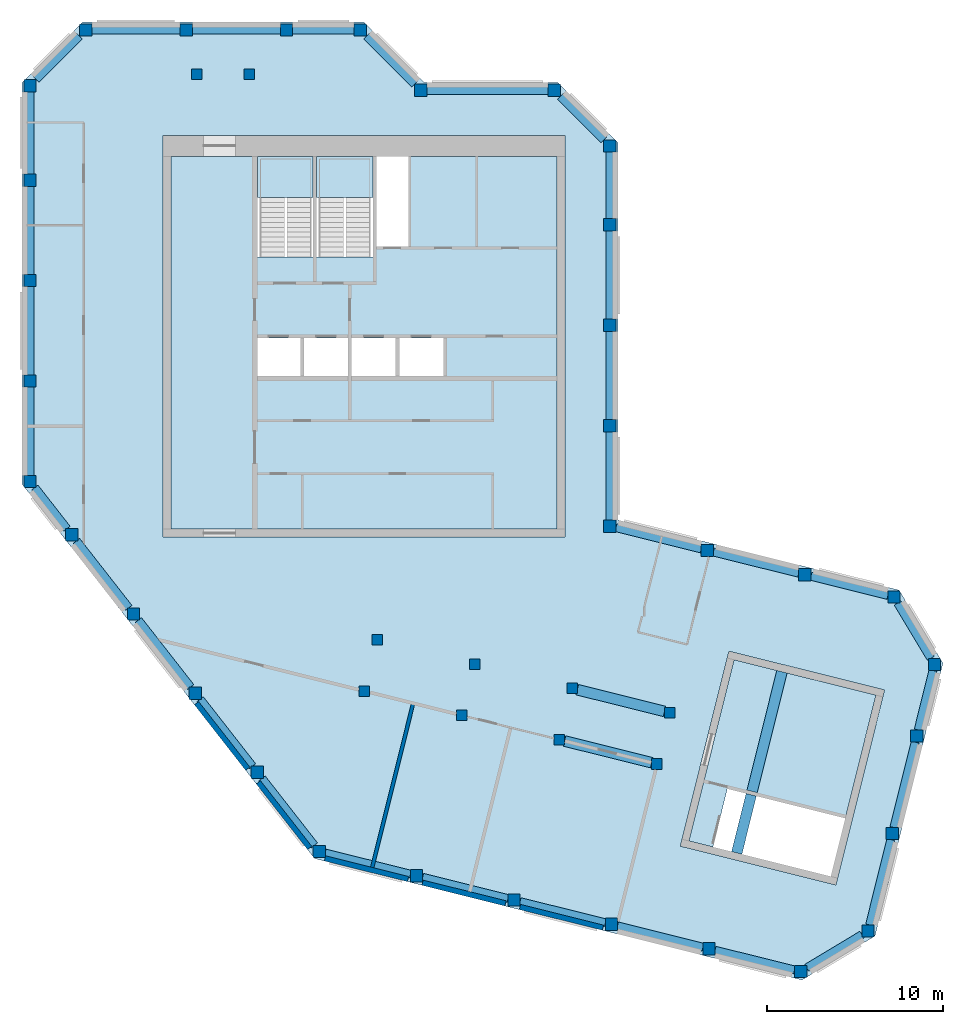
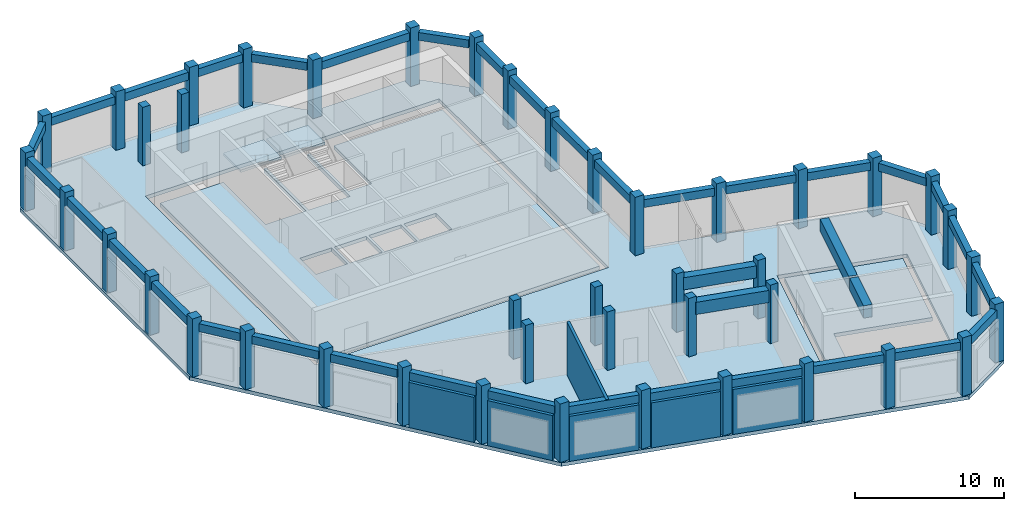
# One storey, part 1 of 5: 43 columns, 37 beams, 6 walls, 5 slabs, 2 elements without a shape of their own.
"""IFC4 building model written with IfcOpenShell, lengths in metres."""

from ifc_helpers import new_model, si_unit, direction, frame, frame_2d, origin, origin_2d, place, context, subcontext, project, spatial, polyline, rectangle, outline, extrude, material, layer, layer_set, material_profile, profile_set, type_object, element, aggregate, save


model = new_model("IFC4")

# Units and contexts
model_context = context("Model", 3, precision=1e-05, world=origin(), true_north=direction((0.0, 1.0)))
body_context = subcontext(model_context, "Body", "Model", "MODEL_VIEW")
ifc_project = project(units=[si_unit("LENGTHUNIT", "METRE"), si_unit("AREAUNIT", "SQUARE_METRE"), si_unit("VOLUMEUNIT", "CUBIC_METRE"), si_unit("PLANEANGLEUNIT", "RADIAN"), si_unit("MASSUNIT", "GRAM", prefix="KILO")], contexts=[model_context])

# Site, building, storey
site_placement = place(None, origin())
site = spatial("IfcSite", under=ifc_project, at=site_placement, CompositionType="ELEMENT")
building_placement = place(site_placement, origin())
building = spatial("IfcBuilding", under=site, at=building_placement, Name="Meshkara Civic Tower", CompositionType="ELEMENT")
storey_placement = place(building_placement, frame((0.0, 0.0, 414.60009765625)))
storey = spatial("IfcBuildingStorey", under=building, at=storey_placement, Name="L95 Crown", CompositionType="ELEMENT", Elevation=414.60009765625)

# Columns
ifc_material_1 = material(Name="Concrete C50", Category="concrete")
ifc_material_profile_1 = material_profile(ifc_material_1, rectangle(XDim=0.60009765625, YDim=0.60009765625, at=origin_2d()))
ifc_profile_set_1 = profile_set([ifc_material_profile_1], Name="Concrete C50")
column_type_1 = type_object("IfcColumnType", Name="Interior column RC 600x600 C50", PredefinedType="COLUMN", material=ifc_profile_set_1)
for number, where, z_axis, x_axis, name in (
    (1, (9.89990234375, 40.35009765625, 0.0), (0.0, 0.0, 1.0), (1.0, 0.0, 0.0), "Column SA1-04 L95 Crown"),
    (2, (12.89990234375, 40.35009765625, 0.0), (0.0, 0.0, 1.0), (1.0, 0.0, 0.0), "Column SA2-04 L95 Crown"),
    (3, (19.424072265625, 5.360107421875, 0.0), (0.0, 0.0, 1.0), (1.0, 0.0, 0.0), "Column SB1-00 L95 Crown"),
    (4, (24.9541015625, 3.98095703125, 0.0), (0.0, 0.0, 1.0), (1.0, 0.0, 0.0), "Column SB1-01 L95 Crown"),
    (5, (30.485107421875, 2.60205078125, 0.0), (0.0, 0.0, 1.0), (1.0, 0.0, 0.0), "Column SB1-02 L95 Crown"),
    (6, (36.01611328125, 1.222900390625, 0.0), (0.0, 0.0, 1.0), (1.0, 0.0, 0.0), "Column SB1-03 L95 Crown"),
    (7, (20.14892578125, 8.27099609375, 0.0), (0.0, 0.0, 1.0), (1.0, 0.0, 0.0), "Column SB2-00 L95 Crown"),
    (8, (25.679931640625, 6.89208984375, 0.0), (0.0, 0.0, 1.0), (1.0, 0.0, 0.0), "Column SB2-01 L95 Crown"),
    (9, (31.2109375, 5.512939453125, 0.0), (0.0, 0.0, 1.0), (1.0, 0.0, 0.0), "Column SB2-02 L95 Crown"),
    (10, (36.741943359375, 4.134033203125, 0.0), (0.0, 0.0, 1.0), (1.0, 0.0, 0.0), "Column SB2-03 L95 Crown"),
):
    element("IfcColumn", number, at=place(storey_placement, frame(where, z_axis=z_axis, x_axis=x_axis)), inside=storey, type_object=column_type_1, Name=name, PredefinedType="COLUMN", context=body_context, shape_type="SweptSolid", body=[
        extrude(rectangle(XDim=0.60009765625, YDim=0.60009765625, at=origin_2d()), origin(), (0.0, 0.0, 1.0), 4.7998046875),
    ])
ifc_material_2 = material(Name="Concrete C50", Category="concrete")
ifc_material_profile_2 = material_profile(ifc_material_2, rectangle(XDim=0.699951171875, YDim=0.699951171875, at=origin_2d()))
ifc_profile_set_2 = profile_set([ifc_material_profile_2], Name="Concrete C50")
column_type_2 = type_object("IfcColumnType", Name="Perimeter column RC 700x700 C50", PredefinedType="COLUMN", material=ifc_profile_set_2)
for number, where, z_axis, x_axis, name in (
    (11, (33.35009765625, 14.718994140625, 0.0), (0.0, 0.0, 1.0), (1.0, 0.0, 0.0), "Column HE00 L95 Crown"),
    (12, (33.35009765625, 20.4189453125, 0.0), (0.0, 0.0, 1.0), (1.0, 0.0, 0.0), "Column HE01 L95 Crown"),
    (13, (33.35009765625, 26.118896484375, 0.0), (0.0, 0.0, 1.0), (1.0, 0.0, 0.0), "Column HE02 L95 Crown"),
    (14, (33.35009765625, 31.819091796875, 0.0), (0.0, 0.0, 1.0), (1.0, 0.0, 0.0), "Column HE03 L95 Crown"),
    (15, (33.35009765625, 36.2939453125, 0.0), (0.0, 0.0, 1.0), (1.0, 0.0, 0.0), "Column HEE L95 Crown"),
    (16, (30.194091796875, 39.449951171875, 0.0), (0.0, 0.0, 1.0), (1.0, 0.0, 0.0), "Column HCeE L95 Crown"),
    (17, (22.614013671875, 39.449951171875, 0.0), (0.0, 0.0, 1.0), (1.0, 0.0, 0.0), "Column HN00-P7 L95 Crown"),
    (18, (19.194091796875, 42.8701171875, 0.0), (0.0, 0.0, 1.0), (1.0, 0.0, 0.0), "Column ATiEP7 L95 Crown"),
    (19, (3.60595703125, 42.8701171875, 0.0), (0.0, 0.0, 1.0), (1.0, 0.0, 0.0), "Column AT00-P7 L95 Crown"),
    (20, (9.305908203125, 42.8701171875, 0.0), (0.0, 0.0, 1.0), (1.0, 0.0, 0.0), "Column AT01-P7 L95 Crown"),
    (21, (15.006103515625, 42.8701171875, 0.0), (0.0, 0.0, 1.0), (1.0, 0.0, 0.0), "Column AT02-P7 L95 Crown"),
    (22, (0.449951171875, 39.714111328125, 0.0), (0.0, 0.0, 1.0), (1.0, 0.0, 0.0), "Column ATo00-P7 L95 Crown"),
    (23, (0.449951171875, 17.2548828125, 0.0), (0.0, 0.0, 1.0), (1.0, 0.0, 0.0), "Column AW00 L95 Crown"),
    (24, (0.449951171875, 22.955078125, 0.0), (0.0, 0.0, 1.0), (1.0, 0.0, 0.0), "Column AW01 L95 Crown"),
    (25, (0.449951171875, 28.655029296875, 0.0), (0.0, 0.0, 1.0), (1.0, 0.0, 0.0), "Column AW02 L95 Crown"),
    (26, (0.449951171875, 34.35498046875, 0.0), (0.0, 0.0, 1.0), (1.0, 0.0, 0.0), "Column AW03 L95 Crown"),
    (27, (16.85107421875, -3.738037109375, 0.0), (0.0, 0.0, 1.0), (1.0, 0.0, 0.0), "Column BOW00 L95 Crown"),
    (28, (13.342041015625, 0.75390625, 0.0), (0.0, 0.0, 1.0), (1.0, 0.0, 0.0), "Column BOW01 L95 Crown"),
    (29, (9.8330078125, 5.2451171875, 0.0), (0.0, 0.0, 1.0), (1.0, 0.0, 0.0), "Column BOW02 L95 Crown"),
    (30, (6.322998046875, 9.737060546875, 0.0), (0.0, 0.0, 1.0), (1.0, 0.0, 0.0), "Column BOW03 L95 Crown"),
    (31, (2.81396484375, 14.22900390625, 0.0), (0.0, 0.0, 1.0), (1.0, 0.0, 0.0), "Column BOW04 L95 Crown"),
    (32, (22.382080078125, -5.116943359375, 0.0), (0.0, 0.0, 1.0), (1.0, 0.0, 0.0), "Column BS01 L95 Crown"),
    (33, (27.912109375, -6.49609375, 0.0), (0.0, 0.0, 1.0), (1.0, 0.0, 0.0), "Column BS02 L95 Crown"),
    (34, (33.443115234375, -7.875, 0.0), (0.0, 0.0, 1.0), (1.0, 0.0, 0.0), "Column BS03 L95 Crown"),
    (35, (38.97412109375, -9.25390625, 0.0), (0.0, 0.0, 1.0), (1.0, 0.0, 0.0), "Column BS04 L95 Crown"),
    (36, (44.173095703125, -10.550048828125, 0.0), (0.0, 0.0, 1.0), (1.0, 0.0, 0.0), "Column BSEP7 L95 Crown"),
    (37, (47.9990234375, -8.2509765625, 0.0), (0.0, 0.0, 1.0), (1.0, 0.0, 0.0), "Column BToEP7 L95 Crown"),
    (38, (49.3779296875, -2.719970703125, 0.0), (0.0, 0.0, 1.0), (1.0, 0.0, 0.0), "Column BT01-P7 L95 Crown"),
    (39, (50.757080078125, 2.81005859375, 0.0), (0.0, 0.0, 1.0), (1.0, 0.0, 0.0), "Column BT02-P7 L95 Crown"),
    (40, (51.77001953125, 6.873046875, 0.0), (0.0, 0.0, 1.0), (1.0, 0.0, 0.0), "Column BTEP7 L95 Crown"),
    (41, (49.470947265625, 10.698974609375, 0.0), (0.0, 0.0, 1.0), (1.0, 0.0, 0.0), "Column BTi00-P7 L95 Crown"),
    (42, (38.881103515625, 13.340087890625, 0.0), (0.0, 0.0, 1.0), (1.0, 0.0, 0.0), "Column BN01 L95 Crown"),
    (43, (44.410888671875, 11.9609375, 0.0), (0.0, 0.0, 1.0), (1.0, 0.0, 0.0), "Column BN02 L95 Crown"),
):
    element("IfcColumn", number, at=place(storey_placement, frame(where, z_axis=z_axis, x_axis=x_axis)), inside=storey, type_object=column_type_2, Name=name, PredefinedType="COLUMN", context=body_context, shape_type="SweptSolid", body=[
        extrude(rectangle(XDim=0.699951171875, YDim=0.699951171875, at=origin_2d()), origin(), (0.0, 0.0, 1.0), 4.7998046875),
    ])

# Beams
ifc_material_3 = material(Name="Concrete C50", Category="concrete")
ifc_material_profile_3 = material_profile(ifc_material_3, rectangle(XDim=0.60009765625, YDim=1.0, at=origin_2d()))
ifc_profile_set_3 = profile_set([ifc_material_profile_3], Name="Concrete C50")
beam_type_1 = type_object("IfcBeamType", Name="Core transfer beam RC 600x1000 C50", PredefinedType="BEAM", material=ifc_profile_set_3)
beam_1_placement = place(storey_placement, frame((30.77587890625, 2.529052734375, 3.849853515625), z_axis=(0.970333660693, -0.241769698114, 0.0), x_axis=(0.241769698114, 0.970333660693, 0.0)))
element("IfcBeam", 44, at=beam_1_placement, inside=storey, type_object=beam_type_1, Name="Transfer beam B L96 Crown core-side wall", PredefinedType="BEAM", context=body_context, shape_type="SweptSolid", body=[
    extrude(rectangle(XDim=0.60009765625, YDim=1.0, at=origin_2d()), origin(), (0.0, 0.0, 1.0), 5.1005859375),
])
beam_2_placement = place(storey_placement, frame((31.501953125, 5.43994140625, 3.849853515625), z_axis=(0.970342091883, -0.241735857334, 0.0), x_axis=(0.241735857334, 0.970342091883, 0.0)))
element("IfcBeam", 45, at=beam_2_placement, inside=storey, type_object=beam_type_1, Name="Transfer beam B L96 Crown core-side wall", PredefinedType="BEAM", context=body_context, shape_type="SweptSolid", body=[
    extrude(rectangle(XDim=0.60009765625, YDim=1.0, at=origin_2d()), origin(), (0.0, 0.0, 1.0), 5.100341796875),
])
beam_3_placement = place(storey_placement, frame((40.550048828125, -3.822998046875, 3.849853515625), z_axis=(0.24177523778, 0.970332280405, 0.0), x_axis=(-0.970332280405, 0.24177523778, 0.0)))
element("IfcBeam", 46, at=beam_3_placement, inside=storey, type_object=beam_type_1, Name="Transfer beam B L96 Crown tip-side wall", PredefinedType="BEAM", context=body_context, shape_type="SweptSolid", body=[
    extrude(rectangle(XDim=0.60009765625, YDim=1.0, at=origin_2d()), origin(), (0.0, 0.0, 1.0), 3.39990234375),
])
beam_4_placement = place(storey_placement, frame((41.419921875, -0.330078125, 3.849853515625), z_axis=(0.242010385333, 0.970273659022, 0.0), x_axis=(-0.970273659022, 0.242010385333, 0.0)))
element("IfcBeam", 47, at=beam_4_placement, inside=storey, type_object=beam_type_1, Name="Transfer beam B L96 Crown tip-side wall", PredefinedType="BEAM", context=body_context, shape_type="SweptSolid", body=[
    extrude(rectangle(XDim=0.60009765625, YDim=1.0, at=origin_2d()), origin(), (0.0, 0.0, 1.0), 7.0),
])
ifc_material_4 = material(Name="Concrete C50", Category="concrete")
ifc_material_profile_4 = material_profile(ifc_material_4, rectangle(XDim=0.449951171875, YDim=0.64990234375, at=origin_2d()))
ifc_profile_set_4 = profile_set([ifc_material_profile_4], Name="Concrete C50")
beam_type_2 = type_object("IfcBeamType", Name="Spandrel beam RC 450x650 C50", PredefinedType="BEAM", material=ifc_profile_set_4)
beam_5_placement = place(storey_placement, frame((44.06591796875, 12.047119140625, 4.02490234375), z_axis=(-0.970292030407, 0.241936718437, 0.0), x_axis=(-0.241936718437, -0.970292030407, 0.0)))
element("IfcBeam", 48, at=beam_5_placement, inside=storey, type_object=beam_type_2, Name="Spandrel beam BN01-BN02", PredefinedType="BEAM", context=body_context, shape_type="SweptSolid", body=[
    extrude(rectangle(XDim=0.449951171875, YDim=0.64990234375, at=origin_2d()), origin(), (0.0, 0.0, 1.0), 4.988037109375),
])
beam_6_placement = place(storey_placement, frame((38.535888671875, 13.426025390625, 4.02490234375), z_axis=(-0.970303486882, 0.241890767382, 0.0), x_axis=(-0.241890767382, -0.970303486882, 0.0)))
element("IfcBeam", 49, at=beam_6_placement, inside=storey, type_object=beam_type_2, Name="Spandrel beam BN01-HE00", PredefinedType="BEAM", context=body_context, shape_type="SweptSolid", body=[
    extrude(rectangle(XDim=0.449951171875, YDim=0.64990234375, at=origin_2d()), origin(), (0.0, 0.0, 1.0), 4.989013671875),
])
for number, where, z_axis, x_axis, name in (
    (50, (33.35009765625, 15.06396484375, 4.02490234375), (0.0, 1.0, 0.0), (-1.0, 0.0, 0.0), "Spandrel beam HE00-HE01"),
    (51, (33.35009765625, 20.763916015625, 4.02490234375), (0.0, 1.0, 0.0), (-1.0, 0.0, 0.0), "Spandrel beam HE01-HE02"),
    (52, (33.35009765625, 26.464111328125, 4.02490234375), (0.0, 1.0, 0.0), (-1.0, 0.0, 0.0), "Spandrel beam HE02-HE03"),
):
    element("IfcBeam", number, at=place(storey_placement, frame(where, z_axis=z_axis, x_axis=x_axis)), inside=storey, type_object=beam_type_2, Name=name, PredefinedType="BEAM", context=body_context, shape_type="SweptSolid", body=[
        extrude(rectangle(XDim=0.449951171875, YDim=0.64990234375, at=origin_2d()), origin(), (0.0, 0.0, 1.0), 5.010009765625),
    ])
beam_7_placement = place(storey_placement, frame((33.35009765625, 32.1640625, 4.02490234375), z_axis=(0.0, 1.0, 0.0), x_axis=(-1.0, 0.0, 0.0)))
element("IfcBeam", 53, at=beam_7_placement, inside=storey, type_object=beam_type_2, Name="Spandrel beam HE03-HEE", PredefinedType="BEAM", context=body_context, shape_type="SweptSolid", body=[
    extrude(rectangle(XDim=0.449951171875, YDim=0.64990234375, at=origin_2d()), origin(), (0.0, 0.0, 1.0), 3.784912109375),
])
beam_8_placement = place(storey_placement, frame((33.00341796875, 36.640380859375, 4.02490234375), z_axis=(-0.707071735129, 0.707141825507, 0.0), x_axis=(-0.707141825507, -0.707071735129, 0.0)))
element("IfcBeam", 54, at=beam_8_placement, inside=storey, type_object=beam_type_2, Name="Spandrel beam HCeE-HEE", PredefinedType="BEAM", context=body_context, shape_type="SweptSolid", body=[
    extrude(rectangle(XDim=0.449951171875, YDim=0.64990234375, at=origin_2d()), origin(), (0.0, 0.0, 1.0), 3.483154296875),
])
beam_9_placement = place(storey_placement, frame((29.84912109375, 39.449951171875, 4.02490234375), z_axis=(-1.0, 0.0, 0.0), x_axis=(0.0, -1.0, 0.0)))
element("IfcBeam", 55, at=beam_9_placement, inside=storey, type_object=beam_type_2, Name="Spandrel beam HCeE-HN00-P7", PredefinedType="BEAM", context=body_context, shape_type="SweptSolid", body=[
    extrude(rectangle(XDim=0.449951171875, YDim=0.64990234375, at=origin_2d()), origin(), (0.0, 0.0, 1.0), 6.89013671875),
])
beam_10_placement = place(storey_placement, frame((22.267578125, 39.79638671875, 4.02490234375), z_axis=(-0.707106781187, 0.707106781187, 0.0), x_axis=(-0.707106781187, -0.707106781187, 0.0)))
element("IfcBeam", 56, at=beam_10_placement, inside=storey, type_object=beam_type_2, Name="Spandrel beam ATiEP7-HN00-P7", PredefinedType="BEAM", context=body_context, shape_type="SweptSolid", body=[
    extrude(rectangle(XDim=0.449951171875, YDim=0.64990234375, at=origin_2d()), origin(), (0.0, 0.0, 1.0), 3.856689453125),
])
beam_11_placement = place(storey_placement, frame((18.84912109375, 42.8701171875, 4.02490234375), z_axis=(-1.0, 0.0, 0.0), x_axis=(0.0, -1.0, 0.0)))
element("IfcBeam", 57, at=beam_11_placement, inside=storey, type_object=beam_type_2, Name="Spandrel beam AT02-P7-ATiEP7", PredefinedType="BEAM", context=body_context, shape_type="SweptSolid", body=[
    extrude(rectangle(XDim=0.449951171875, YDim=0.64990234375, at=origin_2d()), origin(), (0.0, 0.0, 1.0), 3.498046875),
])
for number, where, z_axis, x_axis, name in (
    (58, (14.660888671875, 42.8701171875, 4.02490234375), (-1.0, 0.0, 0.0), (0.0, -1.0, 0.0), "Spandrel beam AT01-P7-AT02-P7"),
    (59, (8.9609375, 42.8701171875, 4.02490234375), (-1.0, 0.0, 0.0), (0.0, -1.0, 0.0), "Spandrel beam AT00-P7-AT01-P7"),
):
    element("IfcBeam", number, at=place(storey_placement, frame(where, z_axis=z_axis, x_axis=x_axis)), inside=storey, type_object=beam_type_2, Name=name, PredefinedType="BEAM", context=body_context, shape_type="SweptSolid", body=[
        extrude(rectangle(XDim=0.449951171875, YDim=0.64990234375, at=origin_2d()), origin(), (0.0, 0.0, 1.0), 5.010009765625),
    ])
beam_12_placement = place(storey_placement, frame((3.259521484375, 42.5234375, 4.02490234375), z_axis=(-0.707141825507, -0.707071735129, 0.0), x_axis=(0.707071735129, -0.707141825507, 0.0)))
element("IfcBeam", 60, at=beam_12_placement, inside=storey, type_object=beam_type_2, Name="Spandrel beam AT00-P7-ATo00-P7", PredefinedType="BEAM", context=body_context, shape_type="SweptSolid", body=[
    extrude(rectangle(XDim=0.449951171875, YDim=0.64990234375, at=origin_2d()), origin(), (0.0, 0.0, 1.0), 3.483154296875),
])
beam_13_placement = place(storey_placement, frame((0.449951171875, 39.368896484375, 4.02490234375), z_axis=(0.0, -1.0, 0.0), x_axis=(1.0, 0.0, 0.0)))
element("IfcBeam", 61, at=beam_13_placement, inside=storey, type_object=beam_type_2, Name="Spandrel beam ATo00-P7-AW03", PredefinedType="BEAM", context=body_context, shape_type="SweptSolid", body=[
    extrude(rectangle(XDim=0.449951171875, YDim=0.64990234375, at=origin_2d()), origin(), (0.0, 0.0, 1.0), 4.6689453125),
])
for number, where, z_axis, x_axis, name in (
    (62, (0.449951171875, 34.010009765625, 4.02490234375), (0.0, -1.0, 0.0), (1.0, 0.0, 0.0), "Spandrel beam AW02-AW03"),
    (63, (0.449951171875, 28.31005859375, 4.02490234375), (0.0, -1.0, 0.0), (1.0, 0.0, 0.0), "Spandrel beam AW01-AW02"),
    (64, (0.449951171875, 22.610107421875, 4.02490234375), (0.0, -1.0, 0.0), (1.0, 0.0, 0.0), "Spandrel beam AW00-AW01"),
):
    element("IfcBeam", number, at=place(storey_placement, frame(where, z_axis=z_axis, x_axis=x_axis)), inside=storey, type_object=beam_type_2, Name=name, PredefinedType="BEAM", context=body_context, shape_type="SweptSolid", body=[
        extrude(rectangle(XDim=0.449951171875, YDim=0.64990234375, at=origin_2d()), origin(), (0.0, 0.0, 1.0), 5.010009765625),
    ])
beam_14_placement = place(storey_placement, frame((0.720458984375, 16.908935546875, 4.02490234375), z_axis=(0.615645641735, -0.788023123908, 0.0), x_axis=(0.788023123908, 0.615645641735, 0.0)))
element("IfcBeam", 65, at=beam_14_placement, inside=storey, type_object=beam_type_2, Name="Spandrel beam AW00-BOW04", PredefinedType="BEAM", context=body_context, shape_type="SweptSolid", body=[
    extrude(rectangle(XDim=0.449951171875, YDim=0.64990234375, at=origin_2d()), origin(), (0.0, 0.0, 1.0), 2.96142578125),
])
beam_15_placement = place(storey_placement, frame((3.084228515625, 13.8828125, 4.02490234375), z_axis=(0.615632251353, -0.788033585004, 0.0), x_axis=(0.788033585004, 0.615632251353, 0.0)))
element("IfcBeam", 66, at=beam_15_placement, inside=storey, type_object=beam_type_2, Name="Spandrel beam BOW03-BOW04", PredefinedType="BEAM", context=body_context, shape_type="SweptSolid", body=[
    extrude(rectangle(XDim=0.449951171875, YDim=0.64990234375, at=origin_2d()), origin(), (0.0, 0.0, 1.0), 4.82177734375),
])
beam_16_placement = place(storey_placement, frame((6.593505859375, 9.390869140625, 4.02490234375), z_axis=(0.615695129878, -0.787984458632, 0.0), x_axis=(0.787984458632, 0.615695129878, 0.0)))
element("IfcBeam", 67, at=beam_16_placement, inside=storey, type_object=beam_type_2, Name="Spandrel beam BOW02-BOW03", PredefinedType="BEAM", context=body_context, shape_type="SweptSolid", body=[
    extrude(rectangle(XDim=0.449951171875, YDim=0.64990234375, at=origin_2d()), origin(), (0.0, 0.0, 1.0), 4.822265625),
])
beam_17_placement = place(storey_placement, frame((10.103515625, 4.89892578125, 4.02490234375), z_axis=(0.615667628032, -0.788005946547, 0.0), x_axis=(0.788005946547, 0.615667628032, 0.0)))
element("IfcBeam", 68, at=beam_17_placement, inside=storey, type_object=beam_type_2, Name="Spandrel beam BOW01-BOW02", PredefinedType="BEAM", context=body_context, shape_type="SweptSolid", body=[
    extrude(rectangle(XDim=0.449951171875, YDim=0.64990234375, at=origin_2d()), origin(), (0.0, 0.0, 1.0), 4.82080078125),
])
beam_18_placement = place(storey_placement, frame((13.6123046875, 0.407958984375, 4.02490234375), z_axis=(0.615632251353, -0.788033585004, 0.0), x_axis=(0.788033585004, 0.615632251353, 0.0)))
element("IfcBeam", 69, at=beam_18_placement, inside=storey, type_object=beam_type_2, Name="Spandrel beam BOW00-BOW01", PredefinedType="BEAM", context=body_context, shape_type="SweptSolid", body=[
    extrude(rectangle(XDim=0.449951171875, YDim=0.64990234375, at=origin_2d()), origin(), (0.0, 0.0, 1.0), 4.82177734375),
])
beam_19_placement = place(storey_placement, frame((17.196044921875, -3.82421875, 4.02490234375), z_axis=(0.970303486882, -0.241890767382, 0.0), x_axis=(0.241890767382, 0.970303486882, 0.0)))
element("IfcBeam", 70, at=beam_19_placement, inside=storey, type_object=beam_type_2, Name="Spandrel beam BOW00-BS01", PredefinedType="BEAM", context=body_context, shape_type="SweptSolid", body=[
    extrude(rectangle(XDim=0.449951171875, YDim=0.64990234375, at=origin_2d()), origin(), (0.0, 0.0, 1.0), 4.989013671875),
])
beam_20_placement = place(storey_placement, frame((22.72705078125, -5.203125, 4.02490234375), z_axis=(0.970292030407, -0.241936718437, 0.0), x_axis=(0.241936718437, 0.970292030407, 0.0)))
element("IfcBeam", 71, at=beam_20_placement, inside=storey, type_object=beam_type_2, Name="Spandrel beam BS01-BS02", PredefinedType="BEAM", context=body_context, shape_type="SweptSolid", body=[
    extrude(rectangle(XDim=0.449951171875, YDim=0.64990234375, at=origin_2d()), origin(), (0.0, 0.0, 1.0), 4.988037109375),
])
for number, where, z_axis, x_axis, name in (
    (72, (28.257080078125, -6.58203125, 4.02490234375), (0.970303486882, -0.241890767382, 0.0), (0.241890767382, 0.970303486882, 0.0), "Spandrel beam BS02-BS03"),
    (73, (33.7880859375, -7.961181640625, 4.02490234375), (0.970303486882, -0.241890767382, 0.0), (0.241890767382, 0.970303486882, 0.0), "Spandrel beam BS03-BS04"),
):
    element("IfcBeam", number, at=place(storey_placement, frame(where, z_axis=z_axis, x_axis=x_axis)), inside=storey, type_object=beam_type_2, Name=name, PredefinedType="BEAM", context=body_context, shape_type="SweptSolid", body=[
        extrude(rectangle(XDim=0.449951171875, YDim=0.64990234375, at=origin_2d()), origin(), (0.0, 0.0, 1.0), 4.989013671875),
    ])
beam_21_placement = place(storey_placement, frame((39.319091796875, -9.340087890625, 4.02490234375), z_axis=(0.970302996806, -0.24189273323, 0.0), x_axis=(0.24189273323, 0.970302996806, 0.0)))
element("IfcBeam", 74, at=beam_21_placement, inside=storey, type_object=beam_type_2, Name="Spandrel beam BS04-BSEP7", PredefinedType="BEAM", context=body_context, shape_type="SweptSolid", body=[
    extrude(rectangle(XDim=0.449951171875, YDim=0.64990234375, at=origin_2d()), origin(), (0.0, 0.0, 1.0), 4.646728515625),
])
beam_22_placement = place(storey_placement, frame((44.518798828125, -10.34228515625, 4.02490234375), z_axis=(0.857151074775, 0.515065078424, 0.0), x_axis=(-0.515065078424, 0.857151074775, 0.0)))
element("IfcBeam", 75, at=beam_22_placement, inside=storey, type_object=beam_type_2, Name="Spandrel beam BSEP7-BToEP7", PredefinedType="BEAM", context=body_context, shape_type="SweptSolid", body=[
    extrude(rectangle(XDim=0.449951171875, YDim=0.64990234375, at=origin_2d()), origin(), (0.0, 0.0, 1.0), 3.656982421875),
])
beam_23_placement = place(storey_placement, frame((48.085205078125, -7.906005859375, 4.02490234375), z_axis=(0.241890767382, 0.970303486882, 0.0), x_axis=(-0.970303486882, 0.241890767382, 0.0)))
element("IfcBeam", 76, at=beam_23_placement, inside=storey, type_object=beam_type_2, Name="Spandrel beam BT01-P7-BToEP7", PredefinedType="BEAM", context=body_context, shape_type="SweptSolid", body=[
    extrude(rectangle(XDim=0.449951171875, YDim=0.64990234375, at=origin_2d()), origin(), (0.0, 0.0, 1.0), 4.989013671875),
])
beam_24_placement = place(storey_placement, frame((49.464111328125, -2.375, 4.02490234375), z_axis=(0.241936718437, 0.970292030407, 0.0), x_axis=(-0.970292030407, 0.241936718437, 0.0)))
element("IfcBeam", 77, at=beam_24_placement, inside=storey, type_object=beam_type_2, Name="Spandrel beam BT01-P7-BT02-P7", PredefinedType="BEAM", context=body_context, shape_type="SweptSolid", body=[
    extrude(rectangle(XDim=0.449951171875, YDim=0.64990234375, at=origin_2d()), origin(), (0.0, 0.0, 1.0), 4.988037109375),
])
beam_25_placement = place(storey_placement, frame((50.843017578125, 3.155029296875, 4.02490234375), z_axis=(0.241891057525, 0.970303414551, 0.0), x_axis=(-0.970303414551, 0.241891057525, 0.0)))
element("IfcBeam", 78, at=beam_25_placement, inside=storey, type_object=beam_type_2, Name="Spandrel beam BT02-P7-BTEP7", PredefinedType="BEAM", context=body_context, shape_type="SweptSolid", body=[
    extrude(rectangle(XDim=0.449951171875, YDim=0.64990234375, at=origin_2d()), origin(), (0.0, 0.0, 1.0), 3.47607421875),
])
beam_26_placement = place(storey_placement, frame((51.562255859375, 7.21875, 4.02490234375), z_axis=(-0.515065078424, 0.857151074775, 0.0), x_axis=(-0.857151074775, -0.515065078424, 0.0)))
element("IfcBeam", 79, at=beam_26_placement, inside=storey, type_object=beam_type_2, Name="Spandrel beam BTEP7-BTi00-P7", PredefinedType="BEAM", context=body_context, shape_type="SweptSolid", body=[
    extrude(rectangle(XDim=0.449951171875, YDim=0.64990234375, at=origin_2d()), origin(), (0.0, 0.0, 1.0), 3.656982421875),
])
beam_27_placement = place(storey_placement, frame((49.1259765625, 10.78515625, 4.02490234375), z_axis=(-0.970279460943, 0.241987122948, 0.0), x_axis=(-0.241987122948, -0.970279460943, 0.0)))
element("IfcBeam", 80, at=beam_27_placement, inside=storey, type_object=beam_type_2, Name="Spandrel beam BN02-BTi00-P7", PredefinedType="BEAM", context=body_context, shape_type="SweptSolid", body=[
    extrude(rectangle(XDim=0.449951171875, YDim=0.64990234375, at=origin_2d()), origin(), (0.0, 0.0, 1.0), 4.503662109375),
])

# Slabs
ifc_material_5 = material(Name="Concrete C40/50", Category="concrete")
ifc_layer_1 = layer(ifc_material_5, 0.300048828125)
ifc_layer_set_1 = layer_set([ifc_layer_1], Name="Core floor slab 300 C40/50")
slab_type_1 = type_object("IfcSlabType", Name="Core floor slab 300 C40/50", PredefinedType="FLOOR", material=ifc_layer_set_1)
slab_1_placement = place(storey_placement, frame((0.0, 0.0, -0.300048828125)))
element("IfcSlab", 81, at=slab_1_placement, inside=storey, type_object=slab_type_1, Name="Core floor K", PredefinedType="FLOOR", context=body_context, shape_type="SweptSolid", body=[
    extrude(outline(polyline([(8.449951171875, 35.699951171875), (13.35009765625, 35.699951171875), (13.35009765625, 30.00146484375), (16.5, 30.00146484375), (16.5, 35.699951171875), (16.699951171875, 35.699951171875), (16.699951171875, 30.00146484375), (19.89990234375, 30.00146484375), (19.89990234375, 35.699951171875), (20.10009765625, 35.699951171875), (20.10009765625, 30.574951171875), (21.925048828125, 30.574951171875), (21.925048828125, 35.699951171875), (30.35009765625, 35.699951171875), (30.35009765625, 14.550048828125), (8.449951171875, 14.550048828125), (8.449951171875, 35.699951171875)]), holes=[polyline([(15.800048828125, 23.25), (15.800048828125, 25.39990234375), (13.35009765625, 25.39990234375), (13.35009765625, 23.25), (15.800048828125, 23.25)]), polyline([(18.5, 25.39990234375), (16.0, 25.39990234375), (16.0, 23.25), (18.5, 23.25), (18.5, 25.39990234375)]), polyline([(18.699951171875, 23.25), (21.199951171875, 23.25), (21.199951171875, 25.39990234375), (18.699951171875, 25.39990234375), (18.699951171875, 23.25)]), polyline([(23.89990234375, 23.25), (23.89990234375, 25.39990234375), (21.39990234375, 25.39990234375), (21.39990234375, 23.25), (23.89990234375, 23.25)])]), origin(), (0.0, 0.0, 1.0), 0.300048828125),
])
slab_2_placement = place(storey_placement, frame((0.0, 0.0, -0.300048828125)))
element("IfcSlab", 82, at=slab_2_placement, inside=storey, type_object=slab_type_1, Name="Core floor EB", PredefinedType="FLOOR", context=body_context, shape_type="SweptSolid", body=[
    extrude(outline(polyline([(40.39697265625, 7.13916015625), (48.450439453125, 5.131103515625), (46.708740234375, -1.85498046875), (40.01513671875, -0.18603515625), (39.192626953125, -3.485107421875), (37.832763671875, -3.14599609375), (40.39697265625, 7.13916015625)])), origin(), (0.0, 0.0, 1.0), 0.300048828125),
])

# Stair, slab
ifc_material_6 = material(Name="Precast concrete C40/50", Category="concrete")
stair_type = type_object("IfcStairType", Name="Exit stair half-turn 26 risers precast", PredefinedType="HALF_TURN_STAIR", material=ifc_material_6)
stair_1_placement = place(storey_placement, origin())
stair_1 = element("IfcStair", 83, at=stair_1_placement, inside=storey, type_object=stair_type, Name="L95 Crown exit stair 1", PredefinedType="HALF_TURN_STAIR")
ifc_material_7 = material(Name="Precast concrete C40/50", Category="concrete")
ifc_layer_2 = layer(ifc_material_7, 0.199951171875)
ifc_layer_set_2 = layer_set([ifc_layer_2], Name="Exit stair landing 200")
slab_type_2 = type_object("IfcSlabType", Name="Exit stair landing 200", PredefinedType="LANDING", material=ifc_layer_set_2)
slab_3_placement = place(storey_placement, frame((0.0, 0.0, 2.199951171875)))
slab_3 = element("IfcSlab", 84, at=slab_3_placement, type_object=slab_type_2, Name="ST1 landing 1", PredefinedType="LANDING", context=body_context, shape_type="SweptSolid", body=[
    extrude(outline(polyline([(16.5, 33.3583984375), (16.5, 35.699951171875), (13.35009765625, 35.699951171875), (13.35009765625, 33.3583984375), (16.5, 33.3583984375)])), origin(), (0.0, 0.0, 1.0), 0.199951171875),
])
aggregate(stair_1, [slab_3])

stair_2_placement = place(storey_placement, origin())
stair_2 = element("IfcStair", 85, at=stair_2_placement, inside=storey, type_object=stair_type, Name="L95 Crown exit stair 2", PredefinedType="HALF_TURN_STAIR")
slab_4_placement = place(storey_placement, frame((0.0, 0.0, 2.199951171875)))
slab_4 = element("IfcSlab", 86, at=slab_4_placement, type_object=slab_type_2, Name="ST2 landing 1", PredefinedType="LANDING", context=body_context, shape_type="SweptSolid", body=[
    extrude(outline(polyline([(19.89990234375, 33.3583984375), (19.89990234375, 35.699951171875), (16.699951171875, 35.699951171875), (16.699951171875, 33.3583984375), (19.89990234375, 33.3583984375)])), origin(), (0.0, 0.0, 1.0), 0.199951171875),
])
aggregate(stair_2, [slab_4])

# Slab
ifc_material_8 = material(Name="Concrete C50", Category="concrete")
ifc_layer_3 = layer(ifc_material_8, 0.300048828125)
ifc_layer_set_3 = layer_set([ifc_layer_3], Name="Post-tensioned flat slab 300 C50")
slab_type_3 = type_object("IfcSlabType", Name="Post-tensioned flat slab 300 C50", PredefinedType="FLOOR", material=ifc_layer_set_3)
slab_5_placement = place(storey_placement, frame((0.0, 0.0, -0.300048828125)))
element("IfcSlab", 87, at=slab_5_placement, inside=storey, type_object=slab_type_3, Name="Post-tensioned flat slab L95 Crown", PredefinedType="FLOOR", context=body_context, shape_type="SweptSolid", body=[
    extrude(outline(polyline([(48.39111328125, -8.541015625), (44.2451171875, -11.031982421875), (16.592041015625, -4.136962890625), (0.0, 17.10009765625), (0.0, 39.89990234375), (3.419921875, 43.320068359375), (19.3798828125, 43.320068359375), (22.800048828125, 39.89990234375), (30.3798828125, 39.89990234375), (33.800048828125, 36.47998046875), (33.800048828125, 15.071044921875), (49.760986328125, 11.091064453125), (52.251953125, 6.945068359375), (48.39111328125, -8.541015625)]), holes=[polyline([(46.177978515625, -5.638916015625), (48.93505859375, 5.423095703125), (40.10595703125, 7.6240234375), (37.347900390625, -3.43701171875), (46.177978515625, -5.638916015625)]), polyline([(30.800048828125, 36.89990234375), (8.0, 36.89990234375), (8.0, 14.10009765625), (30.800048828125, 14.10009765625), (30.800048828125, 36.89990234375)])]), origin(), (0.0, 0.0, 1.0), 0.300048828125),
])

# Walls
ifc_material_9 = material(Name="Insulated infill panel with bronze anodised aluminium cladding", Category="aluminium")
ifc_layer_4 = layer(ifc_material_9, 0.300048828125)
ifc_layer_set_4 = layer_set([ifc_layer_4], Name="CROWN WALL 300")
wall_type_1 = type_object("IfcWallType", Name="CROWN WALL 300", PredefinedType="SOLIDWALL", material=ifc_layer_set_4)
wall_1_placement = place(storey_placement, frame((9.89892578125, 4.673095703125, 0.0), z_axis=(0.0, 0.0, 1.0), x_axis=(0.615659107807, -0.788012603309, 0.0)))
element("IfcWall", 88, at=wall_1_placement, inside=storey, type_object=wall_type_1, Name="Crown external wall", PredefinedType="SOLIDWALL", context=body_context, shape_type="SweptSolid", body=[
    extrude(rectangle(XDim=4.717041015625, YDim=0.300048828125, at=frame_2d((2.3583984375, 0.0))), origin(), (0.0, 0.0, 1.0), 3.699951171875),
])
wall_2_placement = place(storey_placement, frame((13.407958984375, 0.181884765625, 0.0), z_axis=(0.0, 0.0, 1.0), x_axis=(0.61568421867, -0.78799298403, 0.0)))
element("IfcWall", 89, at=wall_2_placement, inside=storey, type_object=wall_type_1, Name="Crown external wall", PredefinedType="SOLIDWALL", context=body_context, shape_type="SweptSolid", body=[
    extrude(rectangle(XDim=4.716796875, YDim=0.300048828125, at=frame_2d((2.3583984375, 0.0))), origin(), (0.0, 0.0, 1.0), 3.699951171875),
])
wall_3_placement = place(storey_placement, frame((17.18994140625, -4.132080078125, 0.0), z_axis=(0.0, 0.0, 1.0), x_axis=(0.970343440388, -0.241730444287, 0.0)))
element("IfcWall", 90, at=wall_3_placement, inside=storey, type_object=wall_type_1, Name="Crown external wall", PredefinedType="SOLIDWALL", context=body_context, shape_type="SweptSolid", body=[
    extrude(rectangle(XDim=4.851806640625, YDim=0.300048828125, at=frame_2d((2.42578125, 0.0))), origin(), (0.0, 0.0, 1.0), 3.699951171875),
])
wall_4_placement = place(storey_placement, frame((22.720947265625, -5.510986328125, 0.0), z_axis=(0.0, 0.0, 1.0), x_axis=(0.970319867473, -0.241825049959, 0.0)))
element("IfcWall", 91, at=wall_4_placement, inside=storey, type_object=wall_type_1, Name="Crown external wall", PredefinedType="SOLIDWALL", context=body_context, shape_type="SweptSolid", body=[
    extrude(rectangle(XDim=4.85107421875, YDim=0.300048828125, at=frame_2d((2.425537109375, 0.0))), origin(), (0.0, 0.0, 1.0), 3.699951171875),
])
wall_5_placement = place(storey_placement, frame((28.2509765625, -6.889892578125, 0.0), z_axis=(0.0, 0.0, 1.0), x_axis=(0.970331636572, -0.241777821703, 0.0)))
element("IfcWall", 92, at=wall_5_placement, inside=storey, type_object=wall_type_1, Name="Crown external wall", PredefinedType="SOLIDWALL", context=body_context, shape_type="SweptSolid", body=[
    extrude(rectangle(XDim=4.85205078125, YDim=0.300048828125, at=frame_2d((2.426025390625, 0.0))), origin(), (0.0, 0.0, 1.0), 3.699951171875),
])
ifc_material_10 = material(Name="Fire-rated wall 200")
ifc_layer_5 = layer(ifc_material_10, 0.199951171875)
ifc_layer_set_5 = layer_set([ifc_layer_5], Name="Fire-rated wall 200")
wall_type_2 = type_object("IfcWallType", Name="Fire-rated wall 200", PredefinedType="PARTITIONING", material=ifc_layer_set_5)
wall_6_placement = place(storey_placement, frame((19.866943359375, -4.64404296875, 0.0), z_axis=(0.0, 0.0, 1.0), x_axis=(0.241897946423, 0.970301697162, 0.0)))
element("IfcWall", 93, at=wall_6_placement, inside=storey, type_object=wall_type_2, Name="L95 Crown-R015", PredefinedType="PARTITIONING", context=body_context, shape_type="SweptSolid", body=[
    extrude(rectangle(XDim=9.5498046875, YDim=0.199951171875, at=frame_2d((4.77490234375, 0.0))), origin(), (0.0, 0.0, 1.0), 4.349853515625),
])

save(model, "model.ifc")
